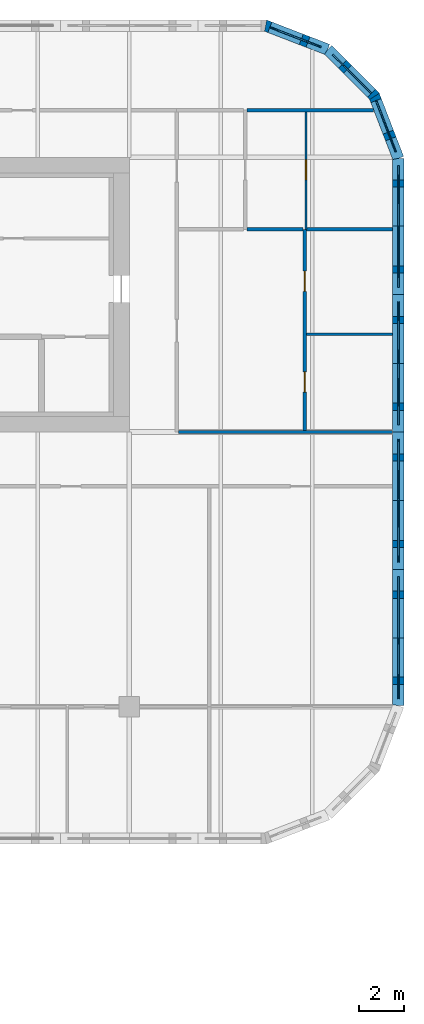
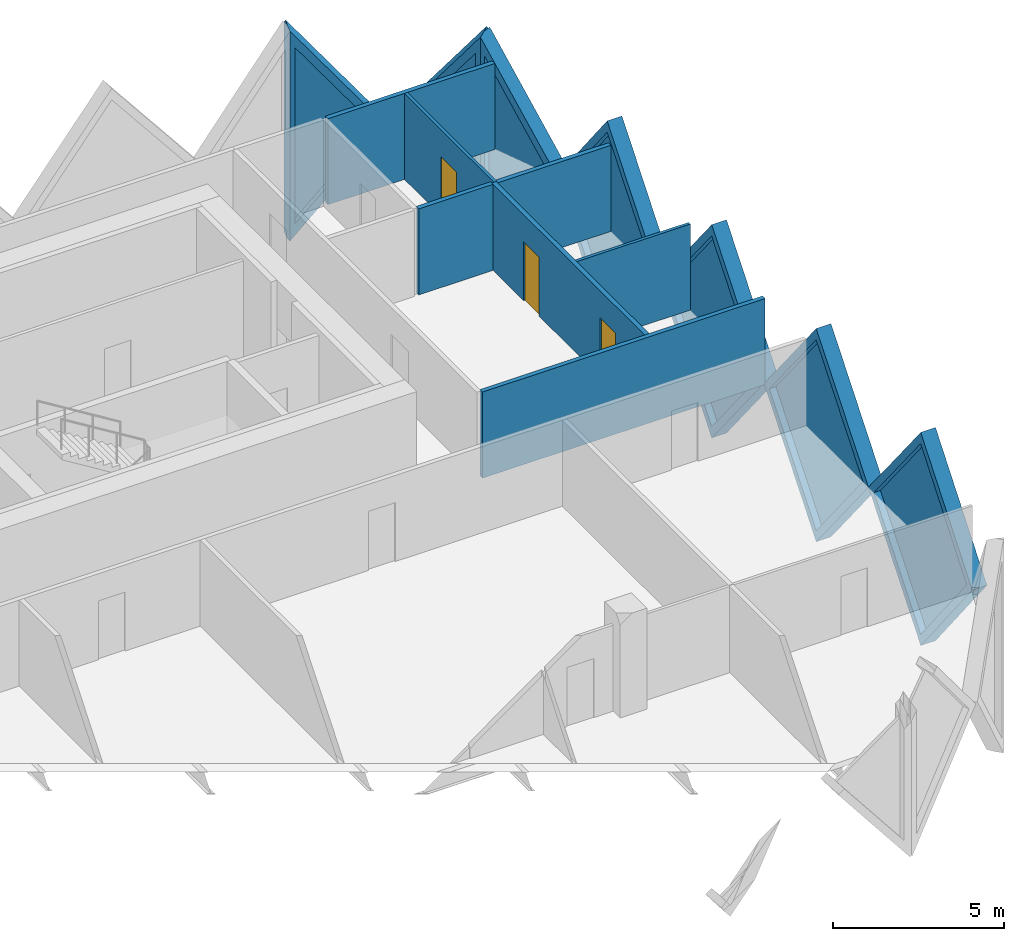
# One storey, part 15 of 18: 14 walls, 7 plates, 3 doors, 10 openings.
"""IFC4 building model written with IfcOpenShell, lengths in metres."""

from ifc_helpers import new_model, si_unit, direction, frame, frame_2d, origin, place, context, subcontext, project, spatial, polyline, rectangle, outline, extrude, faceted_brep, source, transform, mapped, material, layer, layer_set, type_object, element, fill, save


model = new_model("IFC4")

# Units and contexts
model_context = context("Model", 3, precision=1e-05, world=origin(), true_north=direction((0.0, 1.0)))
body_context = subcontext(model_context, "Body", "Model", "MODEL_VIEW")
ifc_project = project(units=[si_unit("LENGTHUNIT", "METRE"), si_unit("AREAUNIT", "SQUARE_METRE"), si_unit("VOLUMEUNIT", "CUBIC_METRE"), si_unit("PLANEANGLEUNIT", "RADIAN"), si_unit("MASSUNIT", "GRAM", prefix="KILO")], contexts=[model_context])

# Site, building, storey
site_placement = place(None, origin())
site = spatial("IfcSite", under=ifc_project, at=site_placement, CompositionType="ELEMENT")
building_placement = place(site_placement, origin())
building = spatial("IfcBuilding", under=site, at=building_placement, Name="Tessera Gate Towers", CompositionType="ELEMENT")
storey_placement = place(building_placement, frame((0.0, 0.0, 56.199951171875)))
storey = spatial("IfcBuildingStorey", under=building, at=storey_placement, Name="L13", CompositionType="ELEMENT", Elevation=56.199951171875)

# Walls
ifc_material_1 = material(Name="Gypsum board on steel studs, mineral wool", Category="steel")
ifc_layer_1 = layer(ifc_material_1, 0.14990234375)
ifc_layer_set_1 = layer_set([ifc_layer_1], Name="CORRIDOR WALL 150")
wall_type_1 = type_object("IfcWallType", Name="CORRIDOR WALL 150", PredefinedType="PARTITIONING", material=ifc_layer_set_1)
wall_1_placement = place(storey_placement, frame((124.176025390625, 36.60009765625, 0.0), z_axis=(0.0, 0.0, 1.0), x_axis=(1.0, 0.0, 0.0)))
element("IfcWall", 1, at=wall_1_placement, inside=storey, type_object=wall_type_1, Name="T2-L13-PW-020", PredefinedType="PARTITIONING", context=body_context, shape_type="SweptSolid", body=[
    extrude(rectangle(XDim=9.52392578125, YDim=0.14990234375, at=frame_2d((4.761962890625, 0.0))), origin(), (0.0, 0.0, 1.0), 3.067138671875),
])
ifc_material_2 = material(Name="Gypsum board on steel studs", Category="steel")
ifc_layer_2 = layer(ifc_material_2, 0.10009765625)
ifc_layer_set_2 = layer_set([ifc_layer_2], Name="PARTITION 100")
wall_type_2 = type_object("IfcWallType", Name="PARTITION 100", PredefinedType="PARTITIONING", material=ifc_layer_set_2)
wall_2_placement = place(storey_placement, frame((129.8759765625, 40.947998046875, 0.0), z_axis=(0.0, 0.0, 1.0), x_axis=(1.0, 0.0, 0.0)))
element("IfcWall", 2, at=wall_2_placement, inside=storey, type_object=wall_type_2, Name="T2-L13-PW-023", PredefinedType="PARTITIONING", context=body_context, shape_type="SweptSolid", body=[
    extrude(rectangle(XDim=3.823974609375, YDim=0.10009765625, at=frame_2d((1.912109375, 0.0))), origin(), (0.0, 0.0, 1.0), 3.067138671875),
])

# Wall, opening, door
wall_3_placement = place(storey_placement, frame((129.85009765625, 50.823974609375, 0.0), z_axis=(0.0, 0.0, 1.0), x_axis=(0.0, -1.0, 0.0)))
wall_3 = element("IfcWall", 3, at=wall_3_placement, inside=storey, type_object=wall_type_2, Name="T2-L13-PW-028", PredefinedType="PARTITIONING", context=body_context, shape_type="SweptSolid", body=[
    extrude(rectangle(XDim=5.222900390625, YDim=0.10009765625, at=frame_2d((2.611328125, 0.0))), origin(), (0.0, 0.0, 1.0), 3.067138671875),
])
shared_shape_1 = source(origin(), body_context, "Body", "SweptSolid", [
    extrude(rectangle(XDim=0.89990234375, YDim=2.10009765625, at=frame_2d((0.449951171875, 1.050048828125))), frame((0.0, 0.06005859375, 0.0), z_axis=(0.0, -1.0, 0.0), x_axis=(1.0, 0.0, 0.0)), (0.0, 0.0, 1.0), 0.1201171875),
])
opening_1_placement = place(wall_3_placement, frame((2.123046875, 0.0, 0.0)))
opening_1 = element("IfcOpeningElement", 4, at=opening_1_placement, cuts=wall_3, Name="Opening D190-B06-03", PredefinedType="OPENING", context=body_context, shape_type="MappedRepresentation", body=[
    mapped(shared_shape_1, transform((0.0, 0.0, 0.0), scale=1.0)),
])
ifc_material_3 = material(Name="Timber door leaf in steel frame", Category="steel")
door_type = type_object("IfcDoorType", Name="INTERNAL DOOR 900 NOT RATED", OperationType="NOTDEFINED", PredefinedType="DOOR", material=ifc_material_3)
shared_shape_2 = source(origin(), body_context, "Body", "SweptSolid", [
    extrude(rectangle(XDim=0.89990234375, YDim=2.10009765625, at=frame_2d((0.449951171875, 1.050048828125))), frame((0.0, 0.02490234375, 0.0), z_axis=(0.0, -1.0, 0.0), x_axis=(1.0, 0.0, 0.0)), (0.0, 0.0, 1.0), 0.050048828125),
])
door_1_placement = place(opening_1_placement, origin())
door_1 = element("IfcDoor", 5, at=door_1_placement, inside=storey, type_object=door_type, Name="T2-L13-PD-007", OperationType="SINGLE_SWING_RIGHT", OverallHeight=2.10009765625, OverallWidth=0.89990234375, PredefinedType="DOOR", context=body_context, shape_type="MappedRepresentation", body=[
    mapped(shared_shape_2, transform((0.0, 0.0, 0.0), scale=1.0)),
])
fill(opening_1, door_1)

# Wall, openings, doors
ifc_material_4 = material(Name="Gypsum board on steel studs, mineral wool", Category="steel")
ifc_layer_3 = layer(ifc_material_4, 0.14990234375)
ifc_layer_set_3 = layer_set([ifc_layer_3], Name="TENANCY WALL 150")
wall_type_3 = type_object("IfcWallType", Name="TENANCY WALL 150", PredefinedType="PARTITIONING", material=ifc_layer_set_3)
wall_4_placement = place(storey_placement, frame((129.800048828125, 45.60009765625, 0.0), z_axis=(0.0, 0.0, 1.0), x_axis=(0.0, -1.0, 0.0)))
wall_4 = element("IfcWall", 6, at=wall_4_placement, inside=storey, type_object=wall_type_3, Name="T2-L13-PW-022", PredefinedType="PARTITIONING", context=body_context, shape_type="SweptSolid", body=[
    extrude(rectangle(XDim=8.924072265625, YDim=0.14990234375, at=frame_2d((4.4619140625, 0.0))), origin(), (0.0, 0.0, 1.0), 3.067138671875),
])
shared_shape_3 = source(origin(), body_context, "Body", "SweptSolid", [
    extrude(rectangle(XDim=0.89990234375, YDim=2.10009765625, at=frame_2d((0.449951171875, 1.050048828125))), frame((0.0, 0.0849609375, 0.0), z_axis=(0.0, -1.0, 0.0), x_axis=(1.0, 0.0, 0.0)), (0.0, 0.0, 1.0), 0.169921875),
])
opening_2_placement = place(wall_4_placement, frame((6.323974609375, 0.0, 0.0)))
opening_2 = element("IfcOpeningElement", 7, at=opening_2_placement, cuts=wall_4, Name="Opening D190-B06-01", PredefinedType="OPENING", context=body_context, shape_type="MappedRepresentation", body=[
    mapped(shared_shape_3, transform((0.0, 0.0, 0.0), scale=1.0)),
])
opening_3_placement = place(wall_4_placement, frame((1.852294921875, 0.0, 0.0)))
opening_3 = element("IfcOpeningElement", 8, at=opening_3_placement, cuts=wall_4, Name="Opening D190-B06-02", PredefinedType="OPENING", context=body_context, shape_type="MappedRepresentation", body=[
    mapped(shared_shape_3, transform((0.0, 0.0, 0.0), scale=1.0)),
])
door_2_placement = place(opening_2_placement, origin())
door_2 = element("IfcDoor", 9, at=door_2_placement, inside=storey, type_object=door_type, Name="T2-L13-PD-002", OperationType="SINGLE_SWING_RIGHT", OverallHeight=2.10009765625, OverallWidth=0.89990234375, PredefinedType="DOOR", context=body_context, shape_type="MappedRepresentation", body=[
    mapped(shared_shape_2, transform((0.0, 0.0, 0.0), scale=1.0)),
])
fill(opening_2, door_2)
door_3_placement = place(opening_3_placement, origin())
door_3 = element("IfcDoor", 10, at=door_3_placement, inside=storey, type_object=door_type, Name="T2-L13-PD-003", OperationType="SINGLE_SWING_RIGHT", OverallHeight=2.10009765625, OverallWidth=0.89990234375, PredefinedType="DOOR", context=body_context, shape_type="MappedRepresentation", body=[
    mapped(shared_shape_2, transform((0.0, 0.0, 0.0), scale=1.0)),
])
fill(opening_3, door_3)

# Walls
wall_5_placement = place(storey_placement, frame((127.22607421875, 45.60009765625, 0.0), z_axis=(0.0, 0.0, 1.0), x_axis=(1.0, 0.0, 0.0)))
element("IfcWall", 11, at=wall_5_placement, inside=storey, type_object=wall_type_3, Name="T2-L13-PW-027", PredefinedType="PARTITIONING", context=body_context, shape_type="SweptSolid", body=[
    extrude(rectangle(XDim=2.498046875, YDim=0.14990234375, at=frame_2d((1.2490234375, 0.0))), origin(), (0.0, 0.0, 1.0), 3.067138671875),
])
wall_6_placement = place(storey_placement, frame((129.8759765625, 45.60009765625, 0.0), z_axis=(0.0, 0.0, 1.0), x_axis=(1.0, 0.0, 0.0)))
element("IfcWall", 12, at=wall_6_placement, inside=storey, type_object=wall_type_3, Name="T2-L13-PW-029", PredefinedType="PARTITIONING", context=body_context, shape_type="SweptSolid", body=[
    extrude(rectangle(XDim=3.823974609375, YDim=0.14990234375, at=frame_2d((1.912109375, 0.0))), origin(), (0.0, 0.0, 1.0), 3.067138671875),
])
wall_7_placement = place(storey_placement, frame((127.22607421875, 50.89990234375, 0.0), z_axis=(0.0, 0.0, 1.0), x_axis=(1.0, 0.0, 0.0)))
element("IfcWall", 13, at=wall_7_placement, inside=storey, type_object=wall_type_3, Name="T2-L13-PW-034", PredefinedType="PARTITIONING", context=body_context, shape_type="SweptSolid", body=[
    extrude(rectangle(XDim=5.6279296875, YDim=0.14990234375, at=frame_2d((2.81396484375, 0.0))), origin(), (0.0, 0.0, 1.0), 3.067138671875),
])

# Wall, opening, plate
ifc_material_5 = material(Name="Precast concrete C60/75 white", Category="concrete")
ifc_layer_4 = layer(ifc_material_5, 0.5)
ifc_layer_set_4 = layer_set([ifc_layer_4], Name="TS1 tessera")
wall_type_4 = type_object("IfcWallType", Name="TS1 tessera", PredefinedType="SOLIDWALL", material=ifc_layer_set_4)
shared_shape_4 = source(origin(), body_context, "Body", "Brep", [
    faceted_brep([(3.00341796875, -0.25, 0.0), (6.053466796875, -0.25, 3.800048828125), (3.00341796875, -0.25, 7.60009765625), (0.0, -0.25, 3.800048828125), (0.046630859375, 0.25, 3.85888671875), (3.00341796875, 0.25, 7.60009765625), (6.053466796875, 0.25, 3.800048828125), (3.00341796875, 0.25, 0.0), (0.046630859375, 0.25, 3.7412109375), (0.0, 0.0, 3.800048828125)], [[[0, 1, 2, 3]], [[4, 5, 6, 7, 8]], [[7, 6, 1, 0]], [[6, 5, 2, 1]], [[5, 4, 9, 3, 2]], [[8, 7, 0, 3, 9]], [[8, 9, 4]]]),
])
wall_8_placement = place(storey_placement, frame((133.949951171875, 24.446533203125, -3.800048828125), z_axis=(0.0, 0.0, 1.0), x_axis=(0.0, 1.0, 0.0)))
wall_8 = element("IfcWall", 14, at=wall_8_placement, inside=storey, type_object=wall_type_4, Name="Precast tessera T2 TS1-0149", PredefinedType="SOLIDWALL", context=body_context, shape_type="MappedRepresentation", body=[
    mapped(shared_shape_4, transform((0.0, 0.0, 0.0), scale=1.0)),
])
shared_shape_5 = source(origin(), body_context, "Body", "SweptSolid", [
    extrude(outline(polyline([(3.0048828125, 0.4013671875), (5.73291015625, 3.800048828125), (3.0048828125, 7.19873046875), (0.318603515625, 3.800048828125), (3.0048828125, 0.4013671875)])), frame((0.0, 0.260009765625, 0.0), z_axis=(0.0, -1.0, 0.0), x_axis=(1.0, 0.0, 0.0)), (0.0, 0.0, 1.0), 0.52001953125),
])
opening_4_placement = place(wall_8_placement, origin())
opening_4 = element("IfcOpeningElement", 15, at=opening_4_placement, cuts=wall_8, Name="Opening T2-PL2-0283", PredefinedType="OPENING", context=body_context, shape_type="MappedRepresentation", body=[
    mapped(shared_shape_5, transform((0.0, 0.0, 0.0), scale=1.0)),
])
ifc_material_6 = material(Name="Low-e laminated glass", Category="glass")
ifc_layer_5 = layer(ifc_material_6, 0.06005859375)
ifc_layer_set_5 = layer_set([ifc_layer_5], Name="PL2 rhombic pane")
plate_type = type_object("IfcPlateType", Name="PL2 rhombic pane", PredefinedType="SHEET", material=ifc_layer_set_5)
shared_shape_6 = source(origin(), body_context, "Body", "SweptSolid", [
    extrude(outline(polyline([(3.0048828125, 0.4013671875), (5.73291015625, 3.800048828125), (3.0048828125, 7.19873046875), (0.318603515625, 3.800048828125), (3.0048828125, 0.4013671875)])), frame((0.0, 0.030029296875, 0.0), z_axis=(0.0, -1.0, 0.0), x_axis=(1.0, 0.0, 0.0)), (0.0, 0.0, 1.0), 0.06005859375),
])
plate_1_placement = place(opening_4_placement, origin())
plate_1 = element("IfcPlate", 16, at=plate_1_placement, inside=storey, type_object=plate_type, Name="Glass pane T2 PL2-0283", PredefinedType="SHEET", context=body_context, shape_type="MappedRepresentation", body=[
    mapped(shared_shape_6, transform((0.0, 0.0, 0.0), scale=1.0)),
])
fill(opening_4, plate_1)

shared_shape_7 = source(origin(), body_context, "Body", "Brep", [
    faceted_brep([(3.050048828125, -0.25, 0.0), (6.099853515625, -0.25, 3.7998046875), (6.099853515625, -0.25, 3.80029296875), (3.050048828125, -0.25, 7.60009765625), (0.0, -0.25, 3.800048828125), (0.0, 0.25, 3.800048828125), (3.050048828125, 0.25, 7.60009765625), (6.099853515625, 0.25, 3.80029296875), (6.099853515625, 0.25, 3.7998046875), (3.050048828125, 0.25, 0.0)], [[[0, 1, 2, 3, 4]], [[5, 6, 7, 8, 9]], [[9, 8, 1, 0]], [[7, 6, 3, 2]], [[6, 5, 4, 3]], [[5, 9, 0, 4]], [[1, 8, 7, 2]]]),
])
wall_9_placement = place(storey_placement, frame((133.949951171875, 36.60009765625, -3.800048828125), z_axis=(0.0, 0.0, 1.0), x_axis=(0.0, 1.0, 0.0)))
wall_9 = element("IfcWall", 17, at=wall_9_placement, inside=storey, type_object=wall_type_4, Name="Precast tessera T2 TS1-0151", PredefinedType="SOLIDWALL", context=body_context, shape_type="MappedRepresentation", body=[
    mapped(shared_shape_7, transform((0.0, 0.0, 0.0), scale=1.0)),
])
shared_shape_8 = source(origin(), body_context, "Body", "SweptSolid", [
    extrude(outline(polyline([(3.050048828125, 0.3994140625), (5.779541015625, 3.800048828125), (3.050048828125, 7.20068359375), (0.320556640625, 3.800048828125), (3.050048828125, 0.3994140625)])), frame((0.0, 0.260009765625, 0.0), z_axis=(0.0, -1.0, 0.0), x_axis=(1.0, 0.0, 0.0)), (0.0, 0.0, 1.0), 0.52001953125),
])
opening_5_placement = place(wall_9_placement, origin())
opening_5 = element("IfcOpeningElement", 18, at=opening_5_placement, cuts=wall_9, Name="Opening T2-PL2-0285", PredefinedType="OPENING", context=body_context, shape_type="MappedRepresentation", body=[
    mapped(shared_shape_8, transform((0.0, 0.0, 0.0), scale=1.0)),
])
shared_shape_9 = source(origin(), body_context, "Body", "SweptSolid", [
    extrude(outline(polyline([(3.050048828125, 0.3994140625), (5.779541015625, 3.800048828125), (3.050048828125, 7.20068359375), (0.320556640625, 3.800048828125), (3.050048828125, 0.3994140625)])), frame((0.0, 0.030029296875, 0.0), z_axis=(0.0, -1.0, 0.0), x_axis=(1.0, 0.0, 0.0)), (0.0, 0.0, 1.0), 0.06005859375),
])
plate_2_placement = place(opening_5_placement, origin())
plate_2 = element("IfcPlate", 19, at=plate_2_placement, inside=storey, type_object=plate_type, Name="Glass pane T2 PL2-0285", PredefinedType="SHEET", context=body_context, shape_type="MappedRepresentation", body=[
    mapped(shared_shape_9, transform((0.0, 0.0, 0.0), scale=1.0)),
])
fill(opening_5, plate_2)

shared_shape_10 = source(origin(), body_context, "Body", "SweptSolid", [
    extrude(outline(polyline([(3.050048828125, 0.0), (6.10009765625, 3.800048828125), (3.050048828125, 7.60009765625), (0.0, 3.800048828125), (3.050048828125, 0.0)])), frame((0.0, 0.25, 0.0), z_axis=(0.0, -1.0, 0.0), x_axis=(1.0, 0.0, 0.0)), (0.0, 0.0, 1.0), 0.5),
])
wall_10_placement = place(storey_placement, frame((133.949951171875, 30.5, -3.800048828125), z_axis=(0.0, 0.0, 1.0), x_axis=(0.0, 1.0, 0.0)))
wall_10 = element("IfcWall", 20, at=wall_10_placement, inside=storey, type_object=wall_type_4, Name="Precast tessera T2 TS1-0150", PredefinedType="SOLIDWALL", context=body_context, shape_type="MappedRepresentation", body=[
    mapped(shared_shape_10, transform((0.0, 0.0, 0.0), scale=1.0)),
])
opening_6_placement = place(wall_10_placement, origin())
opening_6 = element("IfcOpeningElement", 21, at=opening_6_placement, cuts=wall_10, Name="Opening T2-PL2-0284", PredefinedType="OPENING", context=body_context, shape_type="MappedRepresentation", body=[
    mapped(shared_shape_8, transform((0.0, 0.0, 0.0), scale=1.0)),
])
plate_3_placement = place(opening_6_placement, origin())
plate_3 = element("IfcPlate", 22, at=plate_3_placement, inside=storey, type_object=plate_type, Name="Glass pane T2 PL2-0284", PredefinedType="SHEET", context=body_context, shape_type="MappedRepresentation", body=[
    mapped(shared_shape_9, transform((0.0, 0.0, 0.0), scale=1.0)),
])
fill(opening_6, plate_3)

shared_shape_11 = source(origin(), body_context, "Body", "Brep", [
    faceted_brep([(3.050048828125, -0.25, 0.0), (6.053466796875, -0.25, 3.800048828125), (3.050048828125, -0.25, 7.60009765625), (0.0, -0.25, 3.800048828125), (0.0, 0.25, 3.800048828125), (3.050048828125, 0.25, 7.60009765625), (6.0068359375, 0.25, 3.85888671875), (6.0068359375, 0.25, 3.7412109375), (3.050048828125, 0.25, 0.0), (6.053466796875, 0.0, 3.800048828125)], [[[0, 1, 2, 3]], [[4, 5, 6, 7, 8]], [[8, 7, 9, 1, 0]], [[6, 5, 2, 1, 9]], [[5, 4, 3, 2]], [[4, 8, 0, 3]], [[9, 7, 6]]]),
])
wall_11_placement = place(storey_placement, frame((133.949951171875, 42.699951171875, -3.800048828125), z_axis=(0.0, 0.0, 1.0), x_axis=(0.0, 1.0, 0.0)))
wall_11 = element("IfcWall", 23, at=wall_11_placement, inside=storey, type_object=wall_type_4, Name="Precast tessera T2 TS1-0152", PredefinedType="SOLIDWALL", context=body_context, shape_type="MappedRepresentation", body=[
    mapped(shared_shape_11, transform((0.0, 0.0, 0.0), scale=1.0)),
])
shared_shape_12 = source(origin(), body_context, "Body", "SweptSolid", [
    extrude(outline(polyline([(3.048583984375, 0.4013671875), (5.73486328125, 3.800048828125), (3.048583984375, 7.19873046875), (0.320556640625, 3.800048828125), (3.048583984375, 0.4013671875)])), frame((0.0, 0.260009765625, 0.0), z_axis=(0.0, -1.0, 0.0), x_axis=(1.0, 0.0, 0.0)), (0.0, 0.0, 1.0), 0.52001953125),
])
opening_7_placement = place(wall_11_placement, origin())
opening_7 = element("IfcOpeningElement", 24, at=opening_7_placement, cuts=wall_11, Name="Opening T2-PL2-0286", PredefinedType="OPENING", context=body_context, shape_type="MappedRepresentation", body=[
    mapped(shared_shape_12, transform((0.0, 0.0, 0.0), scale=1.0)),
])
shared_shape_13 = source(origin(), body_context, "Body", "SweptSolid", [
    extrude(outline(polyline([(3.048583984375, 0.4013671875), (5.73486328125, 3.800048828125), (3.048583984375, 7.19873046875), (0.320556640625, 3.800048828125), (3.048583984375, 0.4013671875)])), frame((0.0, 0.030029296875, 0.0), z_axis=(0.0, -1.0, 0.0), x_axis=(1.0, 0.0, 0.0)), (0.0, 0.0, 1.0), 0.06005859375),
])
plate_4_placement = place(opening_7_placement, origin())
plate_4 = element("IfcPlate", 25, at=plate_4_placement, inside=storey, type_object=plate_type, Name="Glass pane T2 PL2-0286", PredefinedType="SHEET", context=body_context, shape_type="MappedRepresentation", body=[
    mapped(shared_shape_13, transform((0.0, 0.0, 0.0), scale=1.0)),
])
fill(opening_7, plate_4)

ifc_material_7 = material(Name="Precast concrete C60/75 white", Category="concrete")
ifc_layer_6 = layer(ifc_material_7, 0.5)
ifc_layer_set_6 = layer_set([ifc_layer_6], Name="TS3 corner tessera")
wall_type_5 = type_object("IfcWallType", Name="TS3 corner tessera", PredefinedType="SOLIDWALL", material=ifc_layer_set_6)
shared_shape_14 = source(origin(), body_context, "Body", "Brep", [
    faceted_brep([(2.950439453125, -0.25, 0.0), (3.00341796875, -0.25, 0.068359375), (3.00341796875, -0.25, 7.53173828125), (2.950439453125, -0.25, 7.60009765625), (0.0, -0.25, 3.800048828125), (0.046630859375, 0.25, 3.860107421875), (2.897705078125, 0.25, 7.531982421875), (2.897705078125, 0.25, 0.068115234375), (0.046630859375, 0.25, 3.739990234375), (2.950439453125, 0.00048828125, 0.0), (2.950439453125, 0.00048828125, 7.60009765625), (0.0, 0.0, 3.800048828125)], [[[0, 1, 2, 3, 4]], [[5, 6, 7, 8]], [[1, 0, 9]], [[10, 3, 2]], [[6, 5, 11, 4, 3, 10]], [[8, 7, 9, 0, 4, 11]], [[8, 11, 5]], [[1, 9, 7, 6, 10, 2]]]),
])
wall_12_placement = place(storey_placement, frame((133.949951171875, 48.75341796875, -3.800048828125), z_axis=(0.0, 0.0, 1.0), x_axis=(-0.359855894603, 0.933007896601, 0.0)))
wall_12 = element("IfcWall", 26, at=wall_12_placement, inside=storey, type_object=wall_type_5, Name="Precast corner tessera T2 TS3-0183", PredefinedType="SOLIDWALL", context=body_context, shape_type="MappedRepresentation", body=[
    mapped(shared_shape_14, transform((0.0, 0.0, 0.0), scale=1.0)),
])
shared_shape_15 = source(origin(), body_context, "Body", "SweptSolid", [
    extrude(outline(polyline([(2.75048828125, 6.934814453125), (0.31640625, 3.800048828125), (2.75048828125, 0.665283203125), (2.75048828125, 6.934814453125)])), frame((0.0, 0.260009765625, 0.0), z_axis=(0.0, -1.0, 0.0), x_axis=(1.0, 0.0, 0.0)), (0.0, 0.0, 1.0), 0.52001953125),
])
opening_8_placement = place(wall_12_placement, origin())
opening_8 = element("IfcOpeningElement", 27, at=opening_8_placement, cuts=wall_12, Name="Opening T2-PL2-0287", PredefinedType="OPENING", context=body_context, shape_type="MappedRepresentation", body=[
    mapped(shared_shape_15, transform((0.0, 0.0, 0.0), scale=1.0)),
])
shared_shape_16 = source(origin(), body_context, "Body", "SweptSolid", [
    extrude(outline(polyline([(2.75048828125, 6.934814453125), (0.31640625, 3.800048828125), (2.75048828125, 0.665283203125), (2.75048828125, 6.934814453125)])), frame((0.0, 0.030029296875, 0.0), z_axis=(0.0, -1.0, 0.0), x_axis=(1.0, 0.0, 0.0)), (0.0, 0.0, 1.0), 0.06005859375),
])
plate_5_placement = place(opening_8_placement, origin())
plate_5 = element("IfcPlate", 28, at=plate_5_placement, inside=storey, type_object=plate_type, Name="Glass pane T2 PL2-0287", PredefinedType="SHEET", context=body_context, shape_type="MappedRepresentation", body=[
    mapped(shared_shape_16, transform((0.0, 0.0, 0.0), scale=1.0)),
])
fill(opening_8, plate_5)

shared_shape_17 = source(origin(), body_context, "Body", "Brep", [
    faceted_brep([(0.052978515625, -0.25, 0.0), (2.9970703125, -0.25, 3.800048828125), (0.052978515625, -0.25, 7.60009765625), (0.0, -0.25, 7.531982421875), (0.0, -0.25, 0.068115234375), (0.10595703125, 0.25, 7.53173828125), (2.944091796875, 0.25, 3.8681640625), (2.944091796875, 0.25, 3.73193359375), (0.10595703125, 0.25, 0.068359375), (2.9970703125, 0.000244140625, 3.800048828125), (0.052978515625, 0.0, 0.0), (0.052978515625, 0.0, 7.60009765625)], [[[0, 1, 2, 3, 4]], [[5, 6, 7, 8]], [[8, 7, 9, 1, 0, 10]], [[6, 5, 11, 2, 1, 9]], [[3, 2, 11]], [[10, 0, 4]], [[8, 10, 4, 3, 11, 5]], [[9, 7, 6]]]),
])
wall_13_placement = place(storey_placement, frame((132.925537109375, 51.46875, -3.800048828125), z_axis=(0.0, 0.0, 1.0), x_axis=(-0.707066050402, 0.707147509625, 0.0)))
wall_13 = element("IfcWall", 29, at=wall_13_placement, inside=storey, type_object=wall_type_5, Name="Precast corner tessera T2 TS3-0184", PredefinedType="SOLIDWALL", context=body_context, shape_type="MappedRepresentation", body=[
    mapped(shared_shape_17, transform((0.0, 0.0, 0.0), scale=1.0)),
])
shared_shape_18 = source(origin(), body_context, "Body", "SweptSolid", [
    extrude(outline(polyline([(0.2529296875, 0.66650390625), (2.680908203125, 3.800048828125), (0.2529296875, 6.933837890625), (0.2529296875, 0.66650390625)])), frame((0.0, 0.260009765625, 0.0), z_axis=(0.0, -1.0, 0.0), x_axis=(1.0, 0.0, 0.0)), (0.0, 0.0, 1.0), 0.52001953125),
])
opening_9_placement = place(wall_13_placement, origin())
opening_9 = element("IfcOpeningElement", 30, at=opening_9_placement, cuts=wall_13, Name="Opening T2-PL2-0288", PredefinedType="OPENING", context=body_context, shape_type="MappedRepresentation", body=[
    mapped(shared_shape_18, transform((0.0, 0.0, 0.0), scale=1.0)),
])
shared_shape_19 = source(origin(), body_context, "Body", "SweptSolid", [
    extrude(outline(polyline([(0.2529296875, 0.66650390625), (2.680908203125, 3.800048828125), (0.2529296875, 6.933837890625), (0.2529296875, 0.66650390625)])), frame((0.0, 0.030029296875, 0.0), z_axis=(0.0, -1.0, 0.0), x_axis=(1.0, 0.0, 0.0)), (0.0, 0.0, 1.0), 0.06005859375),
])
plate_6_placement = place(opening_9_placement, origin())
plate_6 = element("IfcPlate", 31, at=plate_6_placement, inside=storey, type_object=plate_type, Name="Glass pane T2 PL2-0288", PredefinedType="SHEET", context=body_context, shape_type="MappedRepresentation", body=[
    mapped(shared_shape_19, transform((0.0, 0.0, 0.0), scale=1.0)),
])
fill(opening_9, plate_6)

shared_shape_20 = source(origin(), body_context, "Body", "Brep", [
    faceted_brep([(2.950439453125, -0.25, 0.0), (2.9970703125, -0.25, 0.05908203125), (2.9970703125, -0.25, 7.541015625), (2.950439453125, -0.25, 7.60009765625), (0.0, -0.25, 3.800048828125), (0.052978515625, 0.25, 3.8681640625), (2.904052734375, 0.25, 7.540283203125), (2.904052734375, 0.25, 0.059814453125), (0.052978515625, 0.25, 3.73193359375), (2.950439453125, 0.00048828125, 0.0), (2.950439453125, 0.00048828125, 7.60009765625), (0.0, 0.0, 3.800048828125)], [[[0, 1, 2, 3, 4]], [[5, 6, 7, 8]], [[1, 0, 9]], [[10, 3, 2]], [[6, 5, 11, 4, 3, 10]], [[8, 7, 9, 0, 4, 11]], [[8, 11, 5]], [[1, 9, 7, 6, 10, 2]]]),
])
wall_14_placement = place(storey_placement, frame((130.80615234375, 53.588134765625, -3.800048828125), z_axis=(0.0, 0.0, 1.0), x_axis=(-0.932990326376, 0.359901446078, 0.0)))
wall_14 = element("IfcWall", 32, at=wall_14_placement, inside=storey, type_object=wall_type_5, Name="Precast corner tessera T2 TS3-0185", PredefinedType="SOLIDWALL", context=body_context, shape_type="MappedRepresentation", body=[
    mapped(shared_shape_20, transform((0.0, 0.0, 0.0), scale=1.0)),
])
opening_10_placement = place(wall_14_placement, origin())
opening_10 = element("IfcOpeningElement", 33, at=opening_10_placement, cuts=wall_14, Name="Opening T2-PL2-0289", PredefinedType="OPENING", context=body_context, shape_type="MappedRepresentation", body=[
    mapped(shared_shape_15, transform((0.0, 0.0, 0.0), scale=1.0)),
])
plate_7_placement = place(opening_10_placement, origin())
plate_7 = element("IfcPlate", 34, at=plate_7_placement, inside=storey, type_object=plate_type, Name="Glass pane T2 PL2-0289", PredefinedType="SHEET", context=body_context, shape_type="MappedRepresentation", body=[
    mapped(shared_shape_16, transform((0.0, 0.0, 0.0), scale=1.0)),
])
fill(opening_10, plate_7)

save(model, "model.ifc")
